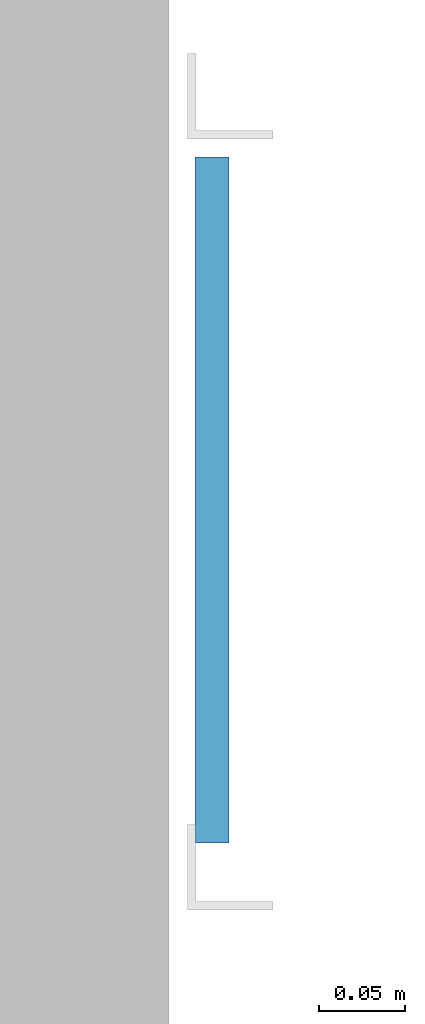
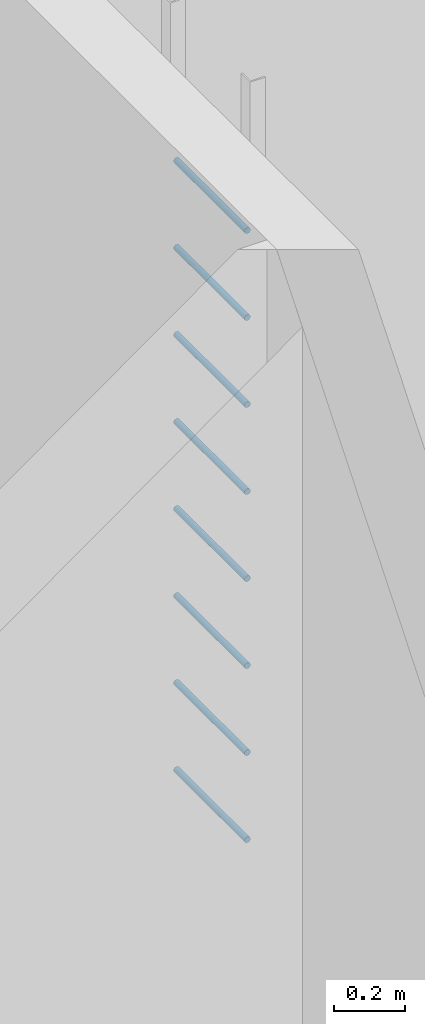
# One storey, part 26 of 94: 8 members.
"""IFC4 building model written with IfcOpenShell, lengths in metres."""

from ifc_helpers import new_model, si_unit, direction, frame, origin, origin_2d, place, context, subcontext, project, spatial, circle, extrude, material, material_profile, profile_set, type_object, element, save


model = new_model("IFC4")

# Units and contexts
model_context = context("Model", 3, precision=1e-05, world=origin(), true_north=direction((0.0, 1.0)))
body_context = subcontext(model_context, "Body", "Model", "MODEL_VIEW")
ifc_project = project(units=[si_unit("LENGTHUNIT", "METRE"), si_unit("AREAUNIT", "SQUARE_METRE"), si_unit("VOLUMEUNIT", "CUBIC_METRE"), si_unit("PLANEANGLEUNIT", "RADIAN"), si_unit("MASSUNIT", "GRAM", prefix="KILO")], contexts=[model_context])

# Site, building, storey
site_placement = place(None, origin())
site = spatial("IfcSite", under=ifc_project, at=site_placement, CompositionType="ELEMENT")
building_placement = place(site_placement, origin())
building = spatial("IfcBuilding", under=site, at=building_placement, Name="Ridgestep Commons", CompositionType="ELEMENT")
storey_placement = place(building_placement, frame((0.0, 0.0, 24.0)))
storey = spatial("IfcBuildingStorey", under=building, at=storey_placement, Name="L08", CompositionType="ELEMENT", Elevation=24.0)

# Members
ifc_material = material(Name="Structural steel S355JR", Category="steel")
ifc_material_profile = material_profile(ifc_material, circle(Radius=0.010009765625, at=origin_2d()), Name="Round bar 20")
ifc_profile_set = profile_set([ifc_material_profile], Name="Structural steel S355JR")
member_type = type_object("IfcMemberType", Name="Core ladder rung 20", PredefinedType="STRINGER", material=ifc_profile_set)
for number, where, z_axis, x_axis, name in (
    (1, (99.0, 75.89990234375, 0.300048828125), (0.0, 1.0, 0.0), (-1.0, 0.0, 0.0), "Ladder rung B6C.1"),
    (2, (99.0, 75.89990234375, 0.60009765625), (0.0, 1.0, 0.0), (-1.0, 0.0, 0.0), "Ladder rung B6C.2"),
    (3, (99.0, 75.89990234375, 0.89990234375), (0.0, 1.0, 0.0), (-1.0, 0.0, 0.0), "Ladder rung B6C.3"),
    (4, (99.0, 75.89990234375, 1.199951171875), (0.0, 1.0, 0.0), (-1.0, 0.0, 0.0), "Ladder rung B6C.4"),
    (5, (99.0, 75.89990234375, 1.5), (0.0, 1.0, 0.0), (-1.0, 0.0, 0.0), "Ladder rung B6C.5"),
    (6, (99.0, 75.89990234375, 1.800048828125), (0.0, 1.0, 0.0), (-1.0, 0.0, 0.0), "Ladder rung B6C.6"),
    (7, (99.0, 75.89990234375, 2.10009765625), (0.0, 1.0, 0.0), (-1.0, 0.0, 0.0), "Ladder rung B6C.7"),
    (8, (99.0, 75.89990234375, 2.39990234375), (0.0, 1.0, 0.0), (-1.0, 0.0, 0.0), "Ladder rung B6C.8"),
):
    element("IfcMember", number, at=place(storey_placement, frame(where, z_axis=z_axis, x_axis=x_axis)), inside=storey, type_object=member_type, Name=name, PredefinedType="STRINGER", context=body_context, shape_type="SweptSolid", body=[
        extrude(circle(Radius=0.010009765625, at=origin_2d()), origin(), (0.0, 0.0, 1.0), 0.400146484375),
    ])

save(model, "model.ifc")
